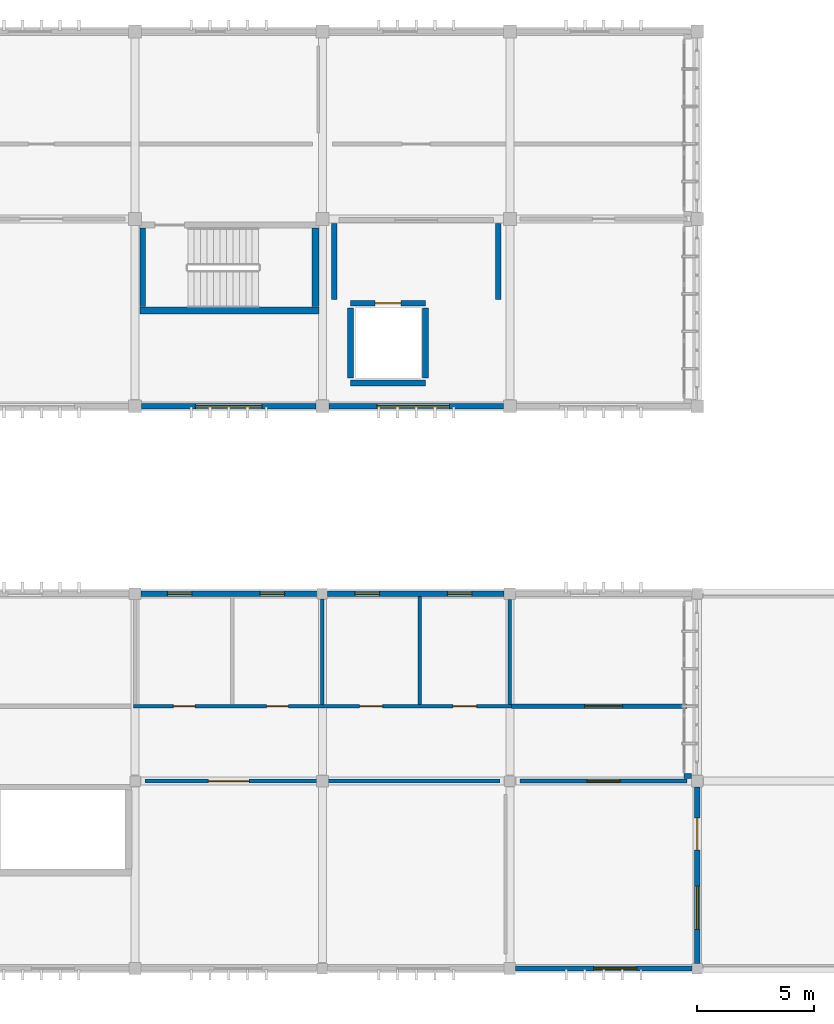
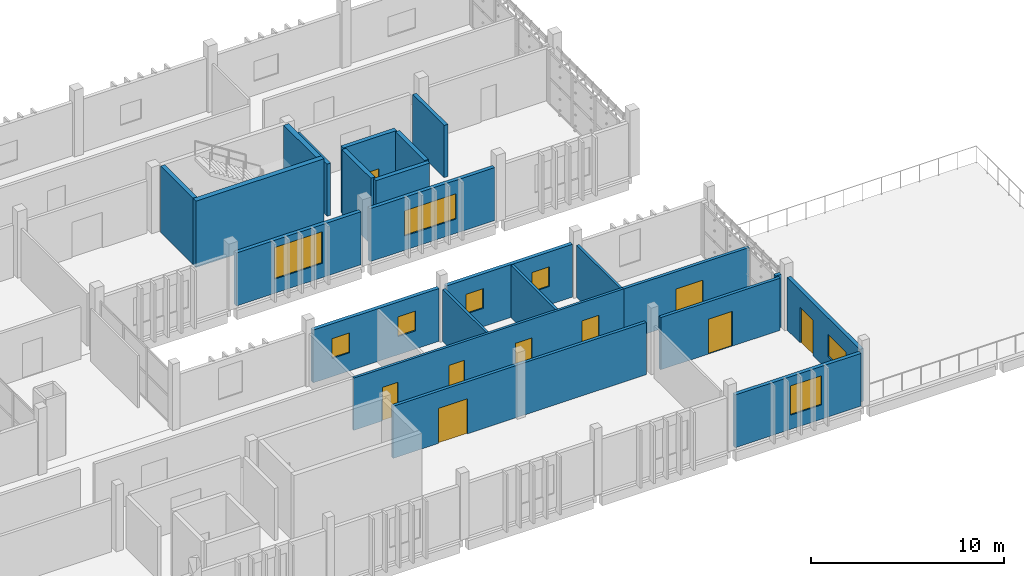
# One storey, part 23 of 32: 23 walls, 9 doors, 8 windows, 17 openings.
"""IFC4 building model written with IfcOpenShell, lengths in metres."""

from ifc_helpers import new_model, si_unit, direction, frame, frame_2d, origin, place, context, subcontext, project, spatial, rectangle, extrude, material, layer, layer_set, type_object, element, fill, save


model = new_model("IFC4")

# Units and contexts
model_context = context("Model", 3, precision=1e-05, world=origin(), true_north=direction((0.0, 1.0)))
body_context = subcontext(model_context, "Body", "Model", "MODEL_VIEW")
ifc_project = project(units=[si_unit("LENGTHUNIT", "METRE"), si_unit("AREAUNIT", "SQUARE_METRE"), si_unit("VOLUMEUNIT", "CUBIC_METRE"), si_unit("PLANEANGLEUNIT", "RADIAN"), si_unit("MASSUNIT", "GRAM", prefix="KILO")], contexts=[model_context])

# Site, building, storey
site_placement = place(None, origin())
site = spatial("IfcSite", under=ifc_project, at=site_placement, CompositionType="ELEMENT")
building_placement = place(site_placement, origin())
building = spatial("IfcBuilding", under=site, at=building_placement, Name="Jelvoka-Kovrelna Polytechnic", CompositionType="ELEMENT")
storey_placement = place(building_placement, frame((0.0, 0.0, 26.39990234375)))
storey = spatial("IfcBuildingStorey", under=building, at=storey_placement, Name="L07", CompositionType="ELEMENT", Elevation=26.39990234375)

# Walls
ifc_material_1 = material(Name="Concrete C35/45", Category="concrete")
ifc_layer_1 = layer(ifc_material_1, 0.219970703125)
ifc_layer_set_1 = layer_set([ifc_layer_1], Name="Concrete C35/45")
wall_type_1 = type_object("IfcWallType", Name="Wall_Compartment_220", PredefinedType="PARTITIONING", material=ifc_layer_set_1)
for number, where, z_axis, x_axis, name in (
    (1, (168.5, 60.550048828125, 0.0), (0.0, 0.0, 1.0), (0.0, 1.0, 0.0), "L07 interior wall 0382"),
    (2, (175.5, 60.550048828125, 0.0), (0.0, 0.0, 1.0), (0.0, 1.0, 0.0), "L07 interior wall 0383"),
):
    element("IfcWall", number, at=place(storey_placement, frame(where, z_axis=z_axis, x_axis=x_axis)), inside=storey, type_object=wall_type_1, Name=name, PredefinedType="PARTITIONING", context=body_context, shape_type="SweptSolid", body=[
        extrude(rectangle(XDim=3.25, YDim=0.219970703125, at=frame_2d((1.625, 0.0))), origin(), (0.0, 0.0, 1.0), 3.300048828125),
    ])
ifc_material_2 = material(Name="Concrete C40/50", Category="concrete")
ifc_layer_2 = layer(ifc_material_2, 0.25)
ifc_layer_set_2 = layer_set([ifc_layer_2], Name="Concrete C40/50")
wall_type_2 = type_object("IfcWallType", Name="Wall_Core_250", PredefinedType="SOLIDWALL", material=ifc_layer_set_2)
wall_1_placement = place(storey_placement, frame((160.324951171875, 60.25, 0.0), z_axis=(0.0, 0.0, 1.0), x_axis=(0.0, 1.0, 0.0)))
element("IfcWall", 3, at=wall_1_placement, inside=storey, type_object=wall_type_2, Name="L07 interior wall 0212", PredefinedType="SOLIDWALL", context=body_context, shape_type="SweptSolid", body=[
    extrude(rectangle(XDim=3.360107421875, YDim=0.25, at=frame_2d((1.68017578125, 0.0))), origin(), (0.0, 0.0, 1.0), 4.2001953125),
])
wall_2_placement = place(storey_placement, frame((169.199951171875, 57.0, 0.0), z_axis=(0.0, 0.0, 1.0), x_axis=(1.0, 0.0, 0.0)))
element("IfcWall", 4, at=wall_2_placement, inside=storey, type_object=wall_type_2, Name="L07 interior wall 0377", PredefinedType="SOLIDWALL", context=body_context, shape_type="SweptSolid", body=[
    extrude(rectangle(XDim=3.199951171875, YDim=0.25, at=frame_2d((1.60009765625, 0.0))), origin(), (0.0, 0.0, 1.0), 4.2001953125),
])

# Wall, opening, door
wall_3_placement = place(storey_placement, frame((169.199951171875, 60.39990234375, 0.0), z_axis=(0.0, 0.0, 1.0), x_axis=(1.0, 0.0, 0.0)))
wall_3 = element("IfcWall", 5, at=wall_3_placement, inside=storey, type_object=wall_type_2, Name="L07 interior wall 0378", PredefinedType="SOLIDWALL", context=body_context, shape_type="SweptSolid", body=[
    extrude(rectangle(XDim=3.199951171875, YDim=0.25, at=frame_2d((1.60009765625, 0.0))), origin(), (0.0, 0.0, 1.0), 4.2001953125),
])
opening_1_placement = place(wall_3_placement, frame((1.050048828125, 0.0, 0.0)))
opening_1 = element("IfcOpeningElement", 6, at=opening_1_placement, cuts=wall_3, Name="Opening LD-L07-17", PredefinedType="OPENING", context=body_context, shape_type="SweptSolid", body=[
    extrude(rectangle(XDim=1.10009765625, YDim=2.14990234375, at=frame_2d((0.550048828125, 1.074951171875))), frame((0.0, 0.135009765625, 0.0), z_axis=(0.0, -1.0, 0.0), x_axis=(1.0, 0.0, 0.0)), (0.0, 0.0, 1.0), 0.27001953125),
])
ifc_material_3 = material(Name="Brushed stainless steel sliding landing door", Category="steel")
door_type_1 = type_object("IfcDoorType", Name="Door_Lift_LD01", OperationType="NOTDEFINED", PredefinedType="DOOR", material=ifc_material_3)
door_1_placement = place(opening_1_placement, origin())
door_1 = element("IfcDoor", 7, at=door_1_placement, inside=storey, type_object=door_type_1, Name="L07 lift landing sliding door LD-L07-17", OperationType="DOUBLE_DOOR_SLIDING", OverallHeight=2.14990234375, OverallWidth=1.10009765625, PredefinedType="DOOR", context=body_context, shape_type="SweptSolid", body=[
    extrude(rectangle(XDim=1.10009765625, YDim=2.14990234375, at=frame_2d((0.550048828125, 1.074951171875))), frame((0.0, 0.02490234375, 0.0), z_axis=(0.0, -1.0, 0.0), x_axis=(1.0, 0.0, 0.0)), (0.0, 0.0, 1.0), 0.050048828125),
])
fill(opening_1, door_1)

# Walls
for number, where, z_axis, x_axis, name in (
    (8, (169.199951171875, 57.199951171875, 0.0), (0.0, 0.0, 1.0), (0.0, 1.0, 0.0), "L07 interior wall 0379"),
    (9, (172.39990234375, 57.199951171875, 0.0), (0.0, 0.0, 1.0), (0.0, 1.0, 0.0), "L07 interior wall 0380"),
):
    element("IfcWall", number, at=place(storey_placement, frame(where, z_axis=z_axis, x_axis=x_axis)), inside=storey, type_object=wall_type_2, Name=name, PredefinedType="SOLIDWALL", context=body_context, shape_type="SweptSolid", body=[
        extrude(rectangle(XDim=3.0, YDim=0.25, at=frame_2d((1.5, 0.0))), origin(), (0.0, 0.0, 1.0), 4.2001953125),
    ])

# Wall, opening, door
ifc_material_4 = material(Name="Autoclaved aerated concrete blockwork", Category="masonry")
ifc_layer_3 = layer(ifc_material_4, 0.179931640625)
ifc_layer_set_3 = layer_set([ifc_layer_3], Name="Autoclaved aerated concrete blockwork")
wall_type_3 = type_object("IfcWallType", Name="Wall_Corridor_180", PredefinedType="PARTITIONING", material=ifc_layer_set_3)
wall_4_placement = place(storey_placement, frame((160.429931640625, 40.0, 0.0), z_axis=(0.0, 0.0, 1.0), x_axis=(1.0, 0.0, 0.0)))
wall_4 = element("IfcWall", 10, at=wall_4_placement, inside=storey, type_object=wall_type_3, Name="L07 interior wall 1278", PredefinedType="PARTITIONING", context=body_context, shape_type="SweptSolid", body=[
    extrude(rectangle(XDim=15.14013671875, YDim=0.179931640625, at=frame_2d((7.570068359375, 0.0))), origin(), (0.0, 0.0, 1.0), 3.300048828125),
])
opening_2_placement = place(wall_4_placement, frame((2.699951171875, 0.0, 0.0)))
opening_2 = element("IfcOpeningElement", 11, at=opening_2_placement, cuts=wall_4, Name="Opening D-L07-445", PredefinedType="OPENING", context=body_context, shape_type="SweptSolid", body=[
    extrude(rectangle(XDim=1.739990234375, YDim=2.219970703125, at=frame_2d((0.8701171875, 1.10986328125))), frame((0.0, 0.099853515625, 0.0), z_axis=(0.0, -1.0, 0.0), x_axis=(1.0, 0.0, 0.0)), (0.0, 0.0, 1.0), 0.199951171875),
])
ifc_material_5 = material(Name="Paired hardwood fire-resisting refectory door", Category="wood")
door_type_2 = type_object("IfcDoorType", Name="Door_Fire_FD30_09", OperationType="NOTDEFINED", PredefinedType="DOOR", material=ifc_material_5)
door_2_placement = place(opening_2_placement, origin())
door_2 = element("IfcDoor", 12, at=door_2_placement, inside=storey, type_object=door_type_2, Name="L07 interior door D-L07-445", OperationType="DOUBLE_DOOR_SINGLE_SWING", OverallHeight=2.219970703125, OverallWidth=1.739990234375, PredefinedType="DOOR", context=body_context, shape_type="SweptSolid", body=[
    extrude(rectangle(XDim=1.739990234375, YDim=2.219970703125, at=frame_2d((0.8701171875, 1.10986328125))), frame((0.0, 0.02490234375, 0.0), z_axis=(0.0, -1.0, 0.0), x_axis=(1.0, 0.0, 0.0)), (0.0, 0.0, 1.0), 0.050048828125),
])
fill(opening_2, door_2)

wall_5_placement = place(storey_placement, frame((176.429931640625, 40.0, 0.0), z_axis=(0.0, 0.0, 1.0), x_axis=(1.0, 0.0, 0.0)))
wall_5 = element("IfcWall", 13, at=wall_5_placement, inside=storey, type_object=wall_type_3, Name="L07 interior wall 1280", PredefinedType="PARTITIONING", context=body_context, shape_type="SweptSolid", body=[
    extrude(rectangle(XDim=7.14013671875, YDim=0.179931640625, at=frame_2d((3.570068359375, 0.0))), origin(), (0.0, 0.0, 1.0), 3.300048828125),
])
opening_3_placement = place(wall_5_placement, frame((2.860107421875, 0.0, 0.0)))
opening_3 = element("IfcOpeningElement", 14, at=opening_3_placement, cuts=wall_5, Name="Opening D-L07-446", PredefinedType="OPENING", context=body_context, shape_type="SweptSolid", body=[
    extrude(rectangle(XDim=1.419921875, YDim=2.199951171875, at=frame_2d((0.7099609375, 1.10009765625))), frame((0.0, 0.099853515625, 0.0), z_axis=(0.0, -1.0, 0.0), x_axis=(1.0, 0.0, 0.0)), (0.0, 0.0, 1.0), 0.199951171875),
])
ifc_material_6 = material(Name="Paired laboratory equipment door", Category="wood")
door_type_3 = type_object("IfcDoorType", Name="Door_Int_D16", OperationType="NOTDEFINED", PredefinedType="DOOR", material=ifc_material_6)
door_3_placement = place(opening_3_placement, origin())
door_3 = element("IfcDoor", 15, at=door_3_placement, inside=storey, type_object=door_type_3, Name="L07 interior door D-L07-446", OperationType="DOUBLE_DOOR_SINGLE_SWING", OverallHeight=2.199951171875, OverallWidth=1.419921875, PredefinedType="DOOR", context=body_context, shape_type="SweptSolid", body=[
    extrude(rectangle(XDim=1.419921875, YDim=2.199951171875, at=frame_2d((0.7099609375, 1.10009765625))), frame((0.0, 0.02490234375, 0.0), z_axis=(0.0, -1.0, 0.0), x_axis=(1.0, 0.0, 0.0)), (0.0, 0.0, 1.0), 0.050048828125),
])
fill(opening_3, door_3)

wall_6_placement = place(storey_placement, frame((176.074951171875, 43.199951171875, 0.0), z_axis=(0.0, 0.0, 1.0), x_axis=(1.0, 0.0, 0.0)))
wall_6 = element("IfcWall", 16, at=wall_6_placement, inside=storey, type_object=wall_type_3, Name="L07 interior wall 1283", PredefinedType="PARTITIONING", context=body_context, shape_type="SweptSolid", body=[
    extrude(rectangle(XDim=7.4951171875, YDim=0.179931640625, at=frame_2d((3.74755859375, 0.0))), origin(), (0.0, 0.0, 1.0), 3.300048828125),
])
opening_4_placement = place(wall_6_placement, frame((3.114990234375, 0.0, 0.0)))
opening_4 = element("IfcOpeningElement", 17, at=opening_4_placement, cuts=wall_6, Name="Opening D-L07-449", PredefinedType="OPENING", context=body_context, shape_type="SweptSolid", body=[
    extrude(rectangle(XDim=1.6201171875, YDim=2.199951171875, at=frame_2d((0.81005859375, 1.10009765625))), frame((0.0, 0.099853515625, 0.0), z_axis=(0.0, -1.0, 0.0), x_axis=(1.0, 0.0, 0.0)), (0.0, 0.0, 1.0), 0.199951171875),
])
ifc_material_7 = material(Name="Paired library reading hall door", Category="wood")
door_type_4 = type_object("IfcDoorType", Name="Door_Int_D19", OperationType="NOTDEFINED", PredefinedType="DOOR", material=ifc_material_7)
door_4_placement = place(opening_4_placement, origin())
door_4 = element("IfcDoor", 18, at=door_4_placement, inside=storey, type_object=door_type_4, Name="L07 interior door D-L07-449", OperationType="DOUBLE_DOOR_SINGLE_SWING", OverallHeight=2.199951171875, OverallWidth=1.6201171875, PredefinedType="DOOR", context=body_context, shape_type="SweptSolid", body=[
    extrude(rectangle(XDim=1.6201171875, YDim=2.199951171875, at=frame_2d((0.81005859375, 1.10009765625))), frame((0.0, 0.02490234375, 0.0), z_axis=(0.0, -1.0, 0.0), x_axis=(1.0, 0.0, 0.0)), (0.0, 0.0, 1.0), 0.050048828125),
])
fill(opening_4, door_4)

# Wall, openings, windows
ifc_material_8 = material(Name="Precast concrete C40/50", Category="concrete")
ifc_layer_4 = layer(ifc_material_8, 0.219970703125)
ifc_layer_set_4 = layer_set([ifc_layer_4], Name="Precast concrete C40/50")
wall_type_4 = type_object("IfcWallType", Name="Wall_Ext_White_220", PredefinedType="STANDARD", material=ifc_layer_set_4)
wall_7_placement = place(storey_placement, frame((160.2470703125, 48.0, 0.0), z_axis=(0.0, 0.0, 1.0), x_axis=(1.0, 0.0, 0.0)))
wall_7 = element("IfcWall", 19, at=wall_7_placement, inside=storey, type_object=wall_type_4, Name="L07 exterior wall 0563", PredefinedType="STANDARD", context=body_context, shape_type="SweptSolid", body=[
    extrude(rectangle(XDim=7.531005859375, YDim=0.219970703125, at=frame_2d((3.765625, 0.0))), origin(), (0.0, 0.0, 1.0), 3.335205078125),
])
opening_5_placement = place(wall_7_placement, frame((1.133056640625, 0.0, 1.14990234375)))
opening_5 = element("IfcOpeningElement", 20, at=opening_5_placement, cuts=wall_7, Name="Opening W-L07-250", PredefinedType="OPENING", context=body_context, shape_type="SweptSolid", body=[
    extrude(rectangle(XDim=1.050048828125, YDim=1.25, at=frame_2d((0.52490234375, 0.625))), frame((0.0, 0.119873046875, 0.0), z_axis=(0.0, -1.0, 0.0), x_axis=(1.0, 0.0, 0.0)), (0.0, 0.0, 1.0), 0.239990234375),
])
opening_6_placement = place(wall_7_placement, frame((5.0830078125, 0.0, 1.14990234375)))
opening_6 = element("IfcOpeningElement", 21, at=opening_6_placement, cuts=wall_7, Name="Opening W-L07-251", PredefinedType="OPENING", context=body_context, shape_type="SweptSolid", body=[
    extrude(rectangle(XDim=1.050048828125, YDim=1.25, at=frame_2d((0.52490234375, 0.625))), frame((0.0, 0.119873046875, 0.0), z_axis=(0.0, -1.0, 0.0), x_axis=(1.0, 0.0, 0.0)), (0.0, 0.0, 1.0), 0.239990234375),
])
ifc_material_9 = material(Name="Thermally broken anodised aluminium and low-e glazing", Category="aluminium")
window_type_1 = type_object("IfcWindowType", Name="Win_Casement_W01", PartitioningType="SINGLE_PANEL", PredefinedType="WINDOW", material=ifc_material_9)
window_1_placement = place(opening_5_placement, origin())
window_1 = element("IfcWindow", 22, at=window_1_placement, inside=storey, type_object=window_type_1, Name="L07 aluminium casement window W-L07-250", OverallHeight=1.25, OverallWidth=1.050048828125, PartitioningType="SINGLE_PANEL", PredefinedType="WINDOW", context=body_context, shape_type="SweptSolid", body=[
    extrude(rectangle(XDim=1.050048828125, YDim=1.25, at=frame_2d((0.52490234375, 0.625))), frame((0.0, 0.030029296875, 0.0), z_axis=(0.0, -1.0, 0.0), x_axis=(1.0, 0.0, 0.0)), (0.0, 0.0, 1.0), 0.06005859375),
])
fill(opening_5, window_1)
window_2_placement = place(opening_6_placement, origin())
window_2 = element("IfcWindow", 23, at=window_2_placement, inside=storey, type_object=window_type_1, Name="L07 aluminium casement window W-L07-251", OverallHeight=1.25, OverallWidth=1.050048828125, PartitioningType="SINGLE_PANEL", PredefinedType="WINDOW", context=body_context, shape_type="SweptSolid", body=[
    extrude(rectangle(XDim=1.050048828125, YDim=1.25, at=frame_2d((0.52490234375, 0.625))), frame((0.0, 0.030029296875, 0.0), z_axis=(0.0, -1.0, 0.0), x_axis=(1.0, 0.0, 0.0)), (0.0, 0.0, 1.0), 0.06005859375),
])
fill(opening_6, window_2)

wall_8_placement = place(storey_placement, frame((168.221923828125, 48.0, 0.0), z_axis=(0.0, 0.0, 1.0), x_axis=(1.0, 0.0, 0.0)))
wall_8 = element("IfcWall", 24, at=wall_8_placement, inside=storey, type_object=wall_type_4, Name="L07 exterior wall 0565", PredefinedType="STANDARD", context=body_context, shape_type="SweptSolid", body=[
    extrude(rectangle(XDim=7.531005859375, YDim=0.219970703125, at=frame_2d((3.765625, 0.0))), origin(), (0.0, 0.0, 1.0), 3.335205078125),
])
opening_7_placement = place(wall_8_placement, frame((1.157958984375, 0.0, 1.14990234375)))
opening_7 = element("IfcOpeningElement", 25, at=opening_7_placement, cuts=wall_8, Name="Opening W-L07-253", PredefinedType="OPENING", context=body_context, shape_type="SweptSolid", body=[
    extrude(rectangle(XDim=1.050048828125, YDim=1.25, at=frame_2d((0.52490234375, 0.625))), frame((0.0, 0.119873046875, 0.0), z_axis=(0.0, -1.0, 0.0), x_axis=(1.0, 0.0, 0.0)), (0.0, 0.0, 1.0), 0.239990234375),
])
opening_8_placement = place(wall_8_placement, frame((5.10791015625, 0.0, 1.14990234375)))
opening_8 = element("IfcOpeningElement", 26, at=opening_8_placement, cuts=wall_8, Name="Opening W-L07-254", PredefinedType="OPENING", context=body_context, shape_type="SweptSolid", body=[
    extrude(rectangle(XDim=1.050048828125, YDim=1.25, at=frame_2d((0.52490234375, 0.625))), frame((0.0, 0.119873046875, 0.0), z_axis=(0.0, -1.0, 0.0), x_axis=(1.0, 0.0, 0.0)), (0.0, 0.0, 1.0), 0.239990234375),
])
window_3_placement = place(opening_7_placement, origin())
window_3 = element("IfcWindow", 27, at=window_3_placement, inside=storey, type_object=window_type_1, Name="L07 aluminium casement window W-L07-253", OverallHeight=1.25, OverallWidth=1.050048828125, PartitioningType="SINGLE_PANEL", PredefinedType="WINDOW", context=body_context, shape_type="SweptSolid", body=[
    extrude(rectangle(XDim=1.050048828125, YDim=1.25, at=frame_2d((0.52490234375, 0.625))), frame((0.0, 0.030029296875, 0.0), z_axis=(0.0, -1.0, 0.0), x_axis=(1.0, 0.0, 0.0)), (0.0, 0.0, 1.0), 0.06005859375),
])
fill(opening_7, window_3)
window_4_placement = place(opening_8_placement, origin())
window_4 = element("IfcWindow", 28, at=window_4_placement, inside=storey, type_object=window_type_1, Name="L07 aluminium casement window W-L07-254", OverallHeight=1.25, OverallWidth=1.050048828125, PartitioningType="SINGLE_PANEL", PredefinedType="WINDOW", context=body_context, shape_type="SweptSolid", body=[
    extrude(rectangle(XDim=1.050048828125, YDim=1.25, at=frame_2d((0.52490234375, 0.625))), frame((0.0, 0.030029296875, 0.0), z_axis=(0.0, -1.0, 0.0), x_axis=(1.0, 0.0, 0.0)), (0.0, 0.0, 1.0), 0.06005859375),
])
fill(opening_8, window_4)

# Wall, opening, window
wall_9_placement = place(storey_placement, frame((183.778076171875, 32.0, 0.0), z_axis=(0.0, 0.0, 1.0), x_axis=(-1.0, 0.0, 0.0)))
wall_9 = element("IfcWall", 29, at=wall_9_placement, inside=storey, type_object=wall_type_4, Name="L07 exterior wall 0566", PredefinedType="STANDARD", context=body_context, shape_type="SweptSolid", body=[
    extrude(rectangle(XDim=7.531005859375, YDim=0.219970703125, at=frame_2d((3.765625, 0.0))), origin(), (0.0, 0.0, 1.0), 3.335205078125),
])
opening_9_placement = place(wall_9_placement, frame((2.35791015625, 0.0, 0.89990234375)))
opening_9 = element("IfcOpeningElement", 30, at=opening_9_placement, cuts=wall_9, Name="Opening W-L07-255", PredefinedType="OPENING", context=body_context, shape_type="SweptSolid", body=[
    extrude(rectangle(XDim=1.85009765625, YDim=1.85009765625, at=frame_2d((0.925048828125, 0.925048828125))), frame((0.0, 0.119873046875, 0.0), z_axis=(0.0, -1.0, 0.0), x_axis=(1.0, 0.0, 0.0)), (0.0, 0.0, 1.0), 0.239990234375),
])
ifc_material_10 = material(Name="Thermally broken anodised aluminium and low-e glazing", Category="aluminium")
window_type_2 = type_object("IfcWindowType", Name="Win_Casement_W45", PartitioningType="DOUBLE_PANEL_VERTICAL", PredefinedType="WINDOW", material=ifc_material_10)
window_5_placement = place(opening_9_placement, origin())
window_5 = element("IfcWindow", 31, at=window_5_placement, inside=storey, type_object=window_type_2, Name="L07 aluminium casement window W-L07-255", OverallHeight=1.85009765625, OverallWidth=1.85009765625, PartitioningType="DOUBLE_PANEL_VERTICAL", PredefinedType="WINDOW", context=body_context, shape_type="SweptSolid", body=[
    extrude(rectangle(XDim=1.85009765625, YDim=1.85009765625, at=frame_2d((0.925048828125, 0.925048828125))), frame((0.0, 0.030029296875, 0.0), z_axis=(0.0, -1.0, 0.0), x_axis=(1.0, 0.0, 0.0)), (0.0, 0.0, 1.0), 0.06005859375),
])
fill(opening_9, window_5)

# Wall, openings, door, window
wall_10_placement = place(storey_placement, frame((184.0, 39.7529296875, 0.0), z_axis=(0.0, 0.0, 1.0), x_axis=(0.0, -1.0, 0.0)))
wall_10 = element("IfcWall", 32, at=wall_10_placement, inside=storey, type_object=wall_type_4, Name="L07 exterior wall 0572", PredefinedType="STANDARD", context=body_context, shape_type="SweptSolid", body=[
    extrude(rectangle(XDim=7.531005859375, YDim=0.219970703125, at=frame_2d((3.765625, 0.0))), origin(), (0.0, 0.0, 1.0), 3.335205078125),
])
opening_10_placement = place(wall_10_placement, frame((1.3330078125, 0.0, 0.0)))
opening_10 = element("IfcOpeningElement", 33, at=opening_10_placement, cuts=wall_10, Name="Opening TD-L07-010", PredefinedType="OPENING", context=body_context, shape_type="SweptSolid", body=[
    extrude(rectangle(XDim=1.35009765625, YDim=2.25, at=frame_2d((0.675048828125, 1.125))), frame((0.0, 0.119873046875, 0.0), z_axis=(0.0, -1.0, 0.0), x_axis=(1.0, 0.0, 0.0)), (0.0, 0.0, 1.0), 0.239990234375),
])
opening_11_placement = place(wall_10_placement, frame((4.23291015625, 0.0, 0.89990234375)))
opening_11 = element("IfcOpeningElement", 34, at=opening_11_placement, cuts=wall_10, Name="Opening W-L07-257", PredefinedType="OPENING", context=body_context, shape_type="SweptSolid", body=[
    extrude(rectangle(XDim=1.85009765625, YDim=1.39990234375, at=frame_2d((0.925048828125, 0.699951171875))), frame((0.0, 0.119873046875, 0.0), z_axis=(0.0, -1.0, 0.0), x_axis=(1.0, 0.0, 0.0)), (0.0, 0.0, 1.0), 0.239990234375),
])
ifc_material_11 = material(Name="Powder-coated aluminium and laminated safety glass", Category="aluminium")
door_type_5 = type_object("IfcDoorType", Name="Door_Ext_Terrace_1350x2250", OperationType="NOTDEFINED", PredefinedType="DOOR", material=ifc_material_11)
door_5_placement = place(opening_10_placement, origin())
door_5 = element("IfcDoor", 35, at=door_5_placement, inside=storey, type_object=door_type_5, Name="L07 exterior door TD-L07-010", OperationType="SINGLE_SWING_LEFT", OverallHeight=2.25, OverallWidth=1.35009765625, PredefinedType="DOOR", context=body_context, shape_type="SweptSolid", body=[
    extrude(rectangle(XDim=1.35009765625, YDim=2.25, at=frame_2d((0.675048828125, 1.125))), frame((0.0, 0.02490234375, 0.0), z_axis=(0.0, -1.0, 0.0), x_axis=(1.0, 0.0, 0.0)), (0.0, 0.0, 1.0), 0.050048828125),
])
fill(opening_10, door_5)
ifc_material_12 = material(Name="Thermally broken anodised aluminium and low-e glazing", Category="aluminium")
window_type_3 = type_object("IfcWindowType", Name="Win_Casement_W15", PartitioningType="DOUBLE_PANEL_VERTICAL", PredefinedType="WINDOW", material=ifc_material_12)
window_6_placement = place(opening_11_placement, origin())
window_6 = element("IfcWindow", 36, at=window_6_placement, inside=storey, type_object=window_type_3, Name="L07 aluminium casement window W-L07-257", OverallHeight=1.39990234375, OverallWidth=1.85009765625, PartitioningType="DOUBLE_PANEL_VERTICAL", PredefinedType="WINDOW", context=body_context, shape_type="SweptSolid", body=[
    extrude(rectangle(XDim=1.85009765625, YDim=1.39990234375, at=frame_2d((0.925048828125, 0.699951171875))), frame((0.0, 0.030029296875, 0.0), z_axis=(0.0, -1.0, 0.0), x_axis=(1.0, 0.0, 0.0)), (0.0, 0.0, 1.0), 0.06005859375),
])
fill(opening_11, window_6)

# Wall, opening, window
wall_11_placement = place(storey_placement, frame((167.72802734375, 56.0, 0.0), z_axis=(0.0, 0.0, 1.0), x_axis=(-1.0, 0.0, 0.0)))
wall_11 = element("IfcWall", 37, at=wall_11_placement, inside=storey, type_object=wall_type_4, Name="L07 exterior wall 0804", PredefinedType="STANDARD", context=body_context, shape_type="SweptSolid", body=[
    extrude(rectangle(XDim=7.4560546875, YDim=0.219970703125, at=frame_2d((3.72802734375, 0.0))), origin(), (0.0, 0.0, 1.0), 3.35009765625),
])
opening_12_placement = place(wall_11_placement, frame((2.30810546875, 0.0, 0.89990234375)))
opening_12 = element("IfcOpeningElement", 38, at=opening_12_placement, cuts=wall_11, Name="Opening W-L07-458", PredefinedType="OPENING", context=body_context, shape_type="SweptSolid", body=[
    extrude(rectangle(XDim=2.85009765625, YDim=2.0, at=frame_2d((1.425048828125, 1.0))), frame((0.0, 0.119873046875, 0.0), z_axis=(0.0, -1.0, 0.0), x_axis=(1.0, 0.0, 0.0)), (0.0, 0.0, 1.0), 0.239990234375),
])
ifc_material_13 = material(Name="Thermally broken anodised aluminium and low-e glazing", Category="aluminium")
window_type_4 = type_object("IfcWindowType", Name="Win_Casement_W60", PartitioningType="DOUBLE_PANEL_VERTICAL", PredefinedType="WINDOW", material=ifc_material_13)
window_7_placement = place(opening_12_placement, origin())
window_7 = element("IfcWindow", 39, at=window_7_placement, inside=storey, type_object=window_type_4, Name="L07 aluminium casement window W-L07-458", OverallHeight=2.0, OverallWidth=2.85009765625, PartitioningType="DOUBLE_PANEL_VERTICAL", PredefinedType="WINDOW", context=body_context, shape_type="SweptSolid", body=[
    extrude(rectangle(XDim=2.85009765625, YDim=2.0, at=frame_2d((1.425048828125, 1.0))), frame((0.0, 0.030029296875, 0.0), z_axis=(0.0, -1.0, 0.0), x_axis=(1.0, 0.0, 0.0)), (0.0, 0.0, 1.0), 0.06005859375),
])
fill(opening_12, window_7)

wall_12_placement = place(storey_placement, frame((175.72802734375, 56.0, 0.0), z_axis=(0.0, 0.0, 1.0), x_axis=(-1.0, 0.0, 0.0)))
wall_12 = element("IfcWall", 40, at=wall_12_placement, inside=storey, type_object=wall_type_4, Name="L07 exterior wall 0806", PredefinedType="STANDARD", context=body_context, shape_type="SweptSolid", body=[
    extrude(rectangle(XDim=7.4560546875, YDim=0.219970703125, at=frame_2d((3.72802734375, 0.0))), origin(), (0.0, 0.0, 1.0), 3.35009765625),
])
opening_13_placement = place(wall_12_placement, frame((2.30810546875, 0.0, 0.89990234375)))
opening_13 = element("IfcOpeningElement", 41, at=opening_13_placement, cuts=wall_12, Name="Opening W-L07-460", PredefinedType="OPENING", context=body_context, shape_type="SweptSolid", body=[
    extrude(rectangle(XDim=3.10009765625, YDim=1.60009765625, at=frame_2d((1.550048828125, 0.800048828125))), frame((0.0, 0.119873046875, 0.0), z_axis=(0.0, -1.0, 0.0), x_axis=(1.0, 0.0, 0.0)), (0.0, 0.0, 1.0), 0.239990234375),
])
ifc_material_14 = material(Name="Thermally broken anodised aluminium and low-e glazing", Category="aluminium")
window_type_5 = type_object("IfcWindowType", Name="Win_Casement_W61", PartitioningType="DOUBLE_PANEL_VERTICAL", PredefinedType="WINDOW", material=ifc_material_14)
window_8_placement = place(opening_13_placement, origin())
window_8 = element("IfcWindow", 42, at=window_8_placement, inside=storey, type_object=window_type_5, Name="L07 aluminium casement window W-L07-460", OverallHeight=1.60009765625, OverallWidth=3.10009765625, PartitioningType="DOUBLE_PANEL_VERTICAL", PredefinedType="WINDOW", context=body_context, shape_type="SweptSolid", body=[
    extrude(rectangle(XDim=3.10009765625, YDim=1.60009765625, at=frame_2d((1.550048828125, 0.800048828125))), frame((0.0, 0.030029296875, 0.0), z_axis=(0.0, -1.0, 0.0), x_axis=(1.0, 0.0, 0.0)), (0.0, 0.0, 1.0), 0.06005859375),
])
fill(opening_13, window_8)

# Wall
ifc_material_15 = material(Name="Precast concrete C40/50", Category="concrete")
ifc_layer_5 = layer(ifc_material_15, 0.199951171875)
ifc_layer_set_5 = layer_set([ifc_layer_5], Name="Precast concrete C40/50")
wall_type_5 = type_object("IfcWallType", Name="Wall_Parapet_200", PredefinedType="PARAPET", material=ifc_layer_set_5)
wall_13_placement = place(storey_placement, frame((183.760009765625, 40.219970703125, 0.0), z_axis=(0.0, 0.0, 1.0), x_axis=(-1.0, 0.0, 0.0)))
element("IfcWall", 43, at=wall_13_placement, inside=storey, type_object=wall_type_5, Name="L07 exterior wall 0573", PredefinedType="PARAPET", context=body_context, shape_type="SweptSolid", body=[
    extrude(rectangle(XDim=0.320068359375, YDim=0.199951171875, at=frame_2d((0.16015625, 0.0))), origin(), (0.0, 0.0, 1.0), 3.35009765625),
])

# Wall, openings, doors
ifc_material_16 = material(Name="Autoclaved aerated concrete blockwork", Category="masonry")
ifc_layer_6 = layer(ifc_material_16, 0.14990234375)
ifc_layer_set_6 = layer_set([ifc_layer_6], Name="Autoclaved aerated concrete blockwork")
wall_type_6 = type_object("IfcWallType", Name="Wall_Partition_150", PredefinedType="PARTITIONING", material=ifc_layer_set_6)
wall_14_placement = place(storey_placement, frame((159.925048828125, 43.199951171875, 0.0), z_axis=(0.0, 0.0, 1.0), x_axis=(1.0, 0.0, 0.0)))
wall_14 = element("IfcWall", 44, at=wall_14_placement, inside=storey, type_object=wall_type_6, Name="L07 interior wall 1271", PredefinedType="PARTITIONING", context=body_context, shape_type="SweptSolid", body=[
    extrude(rectangle(XDim=16.14990234375, YDim=0.14990234375, at=frame_2d((8.074951171875, 0.0))), origin(), (0.0, 0.0, 1.0), 3.300048828125),
])
opening_14_placement = place(wall_14_placement, frame((1.715087890625, 0.0, 0.0)))
opening_14 = element("IfcOpeningElement", 45, at=opening_14_placement, cuts=wall_14, Name="Opening D-L07-440", PredefinedType="OPENING", context=body_context, shape_type="SweptSolid", body=[
    extrude(rectangle(XDim=0.919921875, YDim=2.1201171875, at=frame_2d((0.4599609375, 1.06005859375))), frame((0.0, 0.0849609375, 0.0), z_axis=(0.0, -1.0, 0.0), x_axis=(1.0, 0.0, 0.0)), (0.0, 0.0, 1.0), 0.169921875),
])
opening_15_placement = place(wall_14_placement, frame((5.695068359375, 0.0, 0.0)))
opening_15 = element("IfcOpeningElement", 46, at=opening_15_placement, cuts=wall_14, Name="Opening D-L07-441", PredefinedType="OPENING", context=body_context, shape_type="SweptSolid", body=[
    extrude(rectangle(XDim=0.919921875, YDim=2.1201171875, at=frame_2d((0.4599609375, 1.06005859375))), frame((0.0, 0.0849609375, 0.0), z_axis=(0.0, -1.0, 0.0), x_axis=(1.0, 0.0, 0.0)), (0.0, 0.0, 1.0), 0.169921875),
])
opening_16_placement = place(wall_14_placement, frame((9.6650390625, 0.0, 0.0)))
opening_16 = element("IfcOpeningElement", 47, at=opening_16_placement, cuts=wall_14, Name="Opening D-L07-442", PredefinedType="OPENING", context=body_context, shape_type="SweptSolid", body=[
    extrude(rectangle(XDim=0.97998046875, YDim=2.1201171875, at=frame_2d((0.489990234375, 1.06005859375))), frame((0.0, 0.0849609375, 0.0), z_axis=(0.0, -1.0, 0.0), x_axis=(1.0, 0.0, 0.0)), (0.0, 0.0, 1.0), 0.169921875),
])
opening_17_placement = place(wall_14_placement, frame((13.655029296875, 0.0, 0.0)))
opening_17 = element("IfcOpeningElement", 48, at=opening_17_placement, cuts=wall_14, Name="Opening D-L07-443", PredefinedType="OPENING", context=body_context, shape_type="SweptSolid", body=[
    extrude(rectangle(XDim=1.0, YDim=2.14990234375, at=frame_2d((0.5, 1.074951171875))), frame((0.0, 0.0849609375, 0.0), z_axis=(0.0, -1.0, 0.0), x_axis=(1.0, 0.0, 0.0)), (0.0, 0.0, 1.0), 0.169921875),
])
ifc_material_17 = material(Name="Hardwood acoustic seminar door", Category="wood")
door_type_6 = type_object("IfcDoorType", Name="Door_Int_D08", OperationType="NOTDEFINED", PredefinedType="DOOR", material=ifc_material_17)
door_6_placement = place(opening_17_placement, origin())
door_6 = element("IfcDoor", 49, at=door_6_placement, inside=storey, type_object=door_type_6, Name="L07 interior door D-L07-443", OperationType="SINGLE_SWING_LEFT", OverallHeight=2.14990234375, OverallWidth=1.0, PredefinedType="DOOR", context=body_context, shape_type="SweptSolid", body=[
    extrude(rectangle(XDim=1.0, YDim=2.14990234375, at=frame_2d((0.5, 1.074951171875))), frame((0.0, 0.02490234375, 0.0), z_axis=(0.0, -1.0, 0.0), x_axis=(1.0, 0.0, 0.0)), (0.0, 0.0, 1.0), 0.050048828125),
])
fill(opening_17, door_6)
ifc_material_18 = material(Name="Moisture-resistant laminate washroom door", Category="wood")
door_type_7 = type_object("IfcDoorType", Name="Door_Int_D24", OperationType="NOTDEFINED", PredefinedType="DOOR", material=ifc_material_18)
door_7_placement = place(opening_14_placement, origin())
door_7 = element("IfcDoor", 50, at=door_7_placement, inside=storey, type_object=door_type_7, Name="L07 interior door D-L07-440", OperationType="SINGLE_SWING_RIGHT", OverallHeight=2.1201171875, OverallWidth=0.919921875, PredefinedType="DOOR", context=body_context, shape_type="SweptSolid", body=[
    extrude(rectangle(XDim=0.919921875, YDim=2.1201171875, at=frame_2d((0.4599609375, 1.06005859375))), frame((0.0, 0.02490234375, 0.0), z_axis=(0.0, -1.0, 0.0), x_axis=(1.0, 0.0, 0.0)), (0.0, 0.0, 1.0), 0.050048828125),
])
fill(opening_14, door_7)
door_8_placement = place(opening_15_placement, origin())
door_8 = element("IfcDoor", 51, at=door_8_placement, inside=storey, type_object=door_type_7, Name="L07 interior door D-L07-441", OperationType="SINGLE_SWING_LEFT", OverallHeight=2.1201171875, OverallWidth=0.919921875, PredefinedType="DOOR", context=body_context, shape_type="SweptSolid", body=[
    extrude(rectangle(XDim=0.919921875, YDim=2.1201171875, at=frame_2d((0.4599609375, 1.06005859375))), frame((0.0, 0.02490234375, 0.0), z_axis=(0.0, -1.0, 0.0), x_axis=(1.0, 0.0, 0.0)), (0.0, 0.0, 1.0), 0.050048828125),
])
fill(opening_15, door_8)
ifc_material_19 = material(Name="Accessible unisex washroom door", Category="wood")
door_type_8 = type_object("IfcDoorType", Name="Door_Int_D25", OperationType="NOTDEFINED", PredefinedType="DOOR", material=ifc_material_19)
door_9_placement = place(opening_16_placement, origin())
door_9 = element("IfcDoor", 52, at=door_9_placement, inside=storey, type_object=door_type_8, Name="L07 interior door D-L07-442", OperationType="SINGLE_SWING_RIGHT", OverallHeight=2.1201171875, OverallWidth=0.97998046875, PredefinedType="DOOR", context=body_context, shape_type="SweptSolid", body=[
    extrude(rectangle(XDim=0.97998046875, YDim=2.1201171875, at=frame_2d((0.489990234375, 1.06005859375))), frame((0.0, 0.02490234375, 0.0), z_axis=(0.0, -1.0, 0.0), x_axis=(1.0, 0.0, 0.0)), (0.0, 0.0, 1.0), 0.050048828125),
])
fill(opening_16, door_9)

# Walls
wall_15_placement = place(storey_placement, frame((168.0, 43.27490234375, 0.0), z_axis=(0.0, 0.0, 1.0), x_axis=(0.0, 1.0, 0.0)))
element("IfcWall", 53, at=wall_15_placement, inside=storey, type_object=wall_type_6, Name="L07 interior wall 1274", PredefinedType="PARTITIONING", context=body_context, shape_type="SweptSolid", body=[
    extrude(rectangle(XDim=4.5, YDim=0.14990234375, at=frame_2d((2.25, 0.0))), origin(), (0.0, 0.0, 1.0), 3.300048828125),
])
wall_16_placement = place(storey_placement, frame((172.14990234375, 43.27490234375, 0.0), z_axis=(0.0, 0.0, 1.0), x_axis=(0.0, 1.0, 0.0)))
element("IfcWall", 54, at=wall_16_placement, inside=storey, type_object=wall_type_6, Name="L07 interior wall 1275", PredefinedType="PARTITIONING", context=body_context, shape_type="SweptSolid", body=[
    extrude(rectangle(XDim=4.614990234375, YDim=0.14990234375, at=frame_2d((2.3076171875, 0.0))), origin(), (0.0, 0.0, 1.0), 3.300048828125),
])
wall_17_placement = place(storey_placement, frame((176.0, 43.27490234375, 0.0), z_axis=(0.0, 0.0, 1.0), x_axis=(0.0, 1.0, 0.0)))
element("IfcWall", 55, at=wall_17_placement, inside=storey, type_object=wall_type_6, Name="L07 interior wall 1276", PredefinedType="PARTITIONING", context=body_context, shape_type="SweptSolid", body=[
    extrude(rectangle(XDim=4.47509765625, YDim=0.14990234375, at=frame_2d((2.237548828125, 0.0))), origin(), (0.0, 0.0, 1.0), 3.300048828125),
])
ifc_material_20 = material(Name="Concrete C40/50", Category="concrete")
ifc_layer_7 = layer(ifc_material_20, 0.300048828125)
ifc_layer_set_7 = layer_set([ifc_layer_7], Name="Concrete C40/50")
wall_type_7 = type_object("IfcWallType", Name="Wall_Shear_300", PredefinedType="SHEAR", material=ifc_layer_set_7)
wall_18_placement = place(storey_placement, frame((160.199951171875, 60.090087890625, 0.0), z_axis=(0.0, 0.0, 1.0), x_axis=(1.0, 0.0, 0.0)))
element("IfcWall", 56, at=wall_18_placement, inside=storey, type_object=wall_type_7, Name="L07 interior wall 0209", PredefinedType="SHEAR", context=body_context, shape_type="SweptSolid", body=[
    extrude(rectangle(XDim=7.650146484375, YDim=0.300048828125, at=frame_2d((3.8251953125, 0.0))), origin(), (0.0, 0.0, 1.0), 4.2001953125),
])
wall_19_placement = place(storey_placement, frame((167.7099609375, 60.25, 0.0), z_axis=(0.0, 0.0, 1.0), x_axis=(0.0, 1.0, 0.0)))
element("IfcWall", 57, at=wall_19_placement, inside=storey, type_object=wall_type_7, Name="L07 interior wall 0210", PredefinedType="SHEAR", context=body_context, shape_type="SweptSolid", body=[
    extrude(rectangle(XDim=3.360107421875, YDim=0.300048828125, at=frame_2d((1.68017578125, 0.0))), origin(), (0.0, 0.0, 1.0), 4.2001953125),
])

save(model, "model.ifc")
